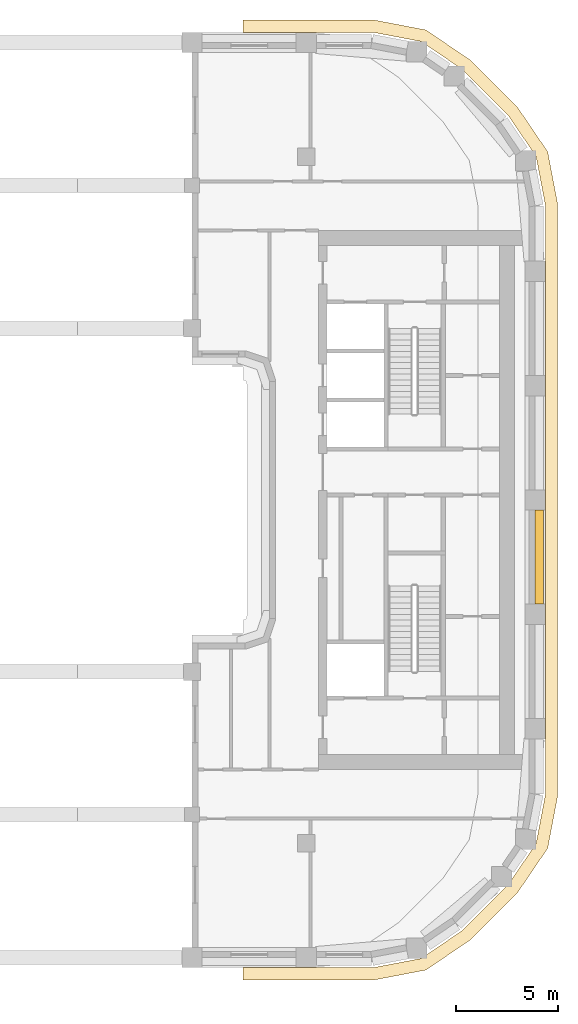
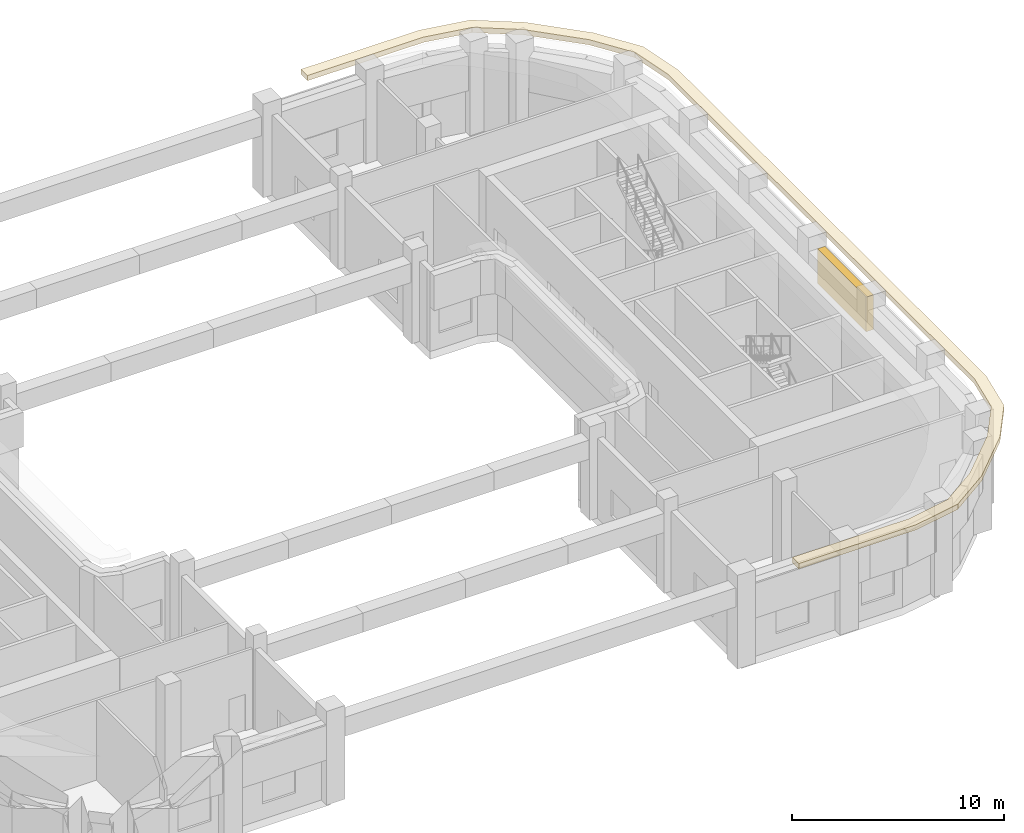
# One storey, part 12 of 14: 2 coverings.
"""IFC4 building model written with IfcOpenShell, lengths in metres."""

import ifcopenshell
import ifcopenshell.guid

model = None  # the IFC model being written
_history = None  # IfcOwnerHistory: only IFC2X3 demands one
_inside = {}  # id of a spatial element -> (the spatial element, [elements in it])
_under = {}  # id of a project, library or spatial element -> (it, [spatial elements below it])
_declared = {}  # id of a project -> (the project, [libraries it declares])
_typed = {}  # id of a type object -> (the type object, [elements of that type])
_made_of = {}  # id of a material, layer set ... -> (it, [elements and type objects made of it])


def new_model(schema):
    """Start an empty IFC model of exactly this schema.

    Asked for "IFC4X3", IfcOpenShell would pick the latest addendum, in which some entities
    have other attributes; the version numbers below select the first issue.
    IFC2X3 requires an IfcOwnerHistory on every rooted entity: one is made here for all.
    """
    global model, _history
    if schema == "IFC4X3":
        model = ifcopenshell.file(schema_version=(4, 3, 0, 0))
    else:
        model = ifcopenshell.file(schema=schema)
    _inside.clear()
    _under.clear()
    _declared.clear()
    _typed.clear()
    _made_of.clear()
    _history = None
    if model.schema == "IFC2X3":
        org = make("IfcOrganization", Name="unknown")
        user = make(
            "IfcPersonAndOrganization",
            ThePerson=make("IfcPerson", FamilyName="unknown"),
            TheOrganization=org,
        )
        app = make(
            "IfcApplication",
            ApplicationDeveloper=org,
            Version="unknown",
            ApplicationFullName="unknown",
            ApplicationIdentifier="unknown",
        )
        _history = make(
            "IfcOwnerHistory",
            OwningUser=user,
            OwningApplication=app,
            ChangeAction="ADDED",
            CreationDate=0,
        )
    return model


def make(cls, **values):
    """One entity of the class cls with the attributes given. An attribute that is None is left unset."""
    return model.create_entity(
        cls, **{name: value for name, value in values.items() if value is not None}
    )


def rooted(cls, **values):
    """An entity with a GlobalId (a new one), such as an element, a storey or a relation."""
    return make(cls, GlobalId=ifcopenshell.guid.new(), OwnerHistory=_history, **values)


def si_unit(unit_type, name, prefix=None):
    """IfcSIUnit, for example si_unit("LENGTHUNIT", "METRE", prefix="MILLI")."""
    return make("IfcSIUnit", UnitType=unit_type, Prefix=prefix, Name=name)


def assignment(units):
    """IfcUnitAssignment: the units of a project."""
    return None if units is None else make("IfcUnitAssignment", Units=units)


def point(xyz):
    """IfcCartesianPoint."""
    return None if xyz is None else make("IfcCartesianPoint", Coordinates=xyz)


def direction(xyz):
    """IfcDirection."""
    return None if xyz is None else make("IfcDirection", DirectionRatios=xyz)


def frame(location, z_axis=None, x_axis=None):
    """IfcAxis2Placement3D, a coordinate frame: its origin and axes. An axis left out is left unset."""
    return make(
        "IfcAxis2Placement3D",
        Location=point(location),
        Axis=direction(z_axis),
        RefDirection=direction(x_axis),
    )


def frame_2d(location, x_axis=None):
    """IfcAxis2Placement2D, a coordinate frame in the plane: its origin and x axis."""
    return make(
        "IfcAxis2Placement2D", Location=point(location), RefDirection=direction(x_axis)
    )


def origin():
    """The frame at (0, 0, 0) with its axes left unset."""
    return frame((0.0, 0.0, 0.0))


def origin_2d():
    """The frame at (0, 0) in the plane with its x axis left unset."""
    return frame_2d((0.0, 0.0))


def place(relative_to, where):
    """IfcLocalPlacement: puts the frame where relative to a parent placement (None: the world)."""
    return make(
        "IfcLocalPlacement", PlacementRelTo=relative_to, RelativePlacement=where
    )


def context(
    kind, dimensions, precision=None, world=None, true_north=None, identifier=None
):
    """IfcGeometricRepresentationContext, for example the 3D "Model" context."""
    return make(
        "IfcGeometricRepresentationContext",
        ContextIdentifier=identifier,
        ContextType=kind,
        CoordinateSpaceDimension=dimensions,
        Precision=precision,
        WorldCoordinateSystem=world,
        TrueNorth=true_north,
    )


def subcontext(parent, identifier, kind, view, scale=None):
    """IfcGeometricRepresentationSubContext, for example "Body" below "Model"."""
    return make(
        "IfcGeometricRepresentationSubContext",
        ContextIdentifier=identifier,
        ContextType=kind,
        ParentContext=parent,
        TargetScale=scale,
        TargetView=view,
    )


def project(units=None, contexts=None):
    """IfcProject with its units and contexts."""
    return rooted(
        "IfcProject",
        Name="project",
        RepresentationContexts=contexts,
        UnitsInContext=assignment(units),
    )


def spatial(cls, under=None, at=None, **own):
    """A site, building, storey or space (cls), placed at a placement, below another one or the project."""
    s = rooted(cls, ObjectPlacement=at, **own)
    if under is not None:
        _under.setdefault(under.id(), (under, []))[1].append(s)
    return s


def polyline(points):
    """IfcPolyline through the points."""
    return make("IfcPolyline", Points=[point(p) for p in points])


def profile(cls, at=None, kind="AREA", **sizes):
    """A parametric profile (cls). Its sizes go by their IFC names, for example OverallWidth=200.0."""
    return make(cls, ProfileType=kind, Position=at, **sizes)


def rectangle(**sizes):
    """IfcRectangleProfileDef."""
    return profile("IfcRectangleProfileDef", **sizes)


def outline(outer, holes=None, kind="AREA"):
    """IfcArbitraryClosedProfileDef: a profile drawn as a closed curve; with holes, ...WithVoids."""
    if holes is None:
        return make("IfcArbitraryClosedProfileDef", ProfileType=kind, OuterCurve=outer)
    return make(
        "IfcArbitraryProfileDefWithVoids",
        ProfileType=kind,
        OuterCurve=outer,
        InnerCurves=holes,
    )


def extrude(swept, where, along, depth):
    """IfcExtrudedAreaSolid: the profile swept, set in the frame where, extruded along a direction by depth."""
    return make(
        "IfcExtrudedAreaSolid",
        SweptArea=swept,
        Position=where,
        ExtrudedDirection=direction(along),
        Depth=depth,
    )


def shape(context_of_items, identifier, shape_type, items):
    """IfcShapeRepresentation: the items that make up one representation, for example the "Body"."""
    return make(
        "IfcShapeRepresentation",
        ContextOfItems=context_of_items,
        RepresentationIdentifier=identifier,
        RepresentationType=shape_type,
        Items=items,
    )


def material(Name=None, Category=None):
    """IfcMaterial."""
    return make("IfcMaterial", Name=Name, Category=Category)


def layer(
    of_material, thickness, ventilated=None, Name=None, Category=None, Priority=None
):
    """IfcMaterialLayer: one layer of a wall or slab, of a material (None: an air gap)."""
    return make(
        "IfcMaterialLayer",
        Material=of_material,
        LayerThickness=thickness,
        IsVentilated=ventilated,
        Name=Name,
        Category=Category,
        Priority=Priority,
    )


def layer_set(layers, Name=None):
    """IfcMaterialLayerSet."""
    return make("IfcMaterialLayerSet", MaterialLayers=layers, LayerSetName=Name)


def made_of(thing, what):
    """Note that an element or type object is made of a material, layer set ...; save() writes the relation."""
    if what is not None:
        _made_of.setdefault(what.id(), (what, []))[1].append(thing)
    return thing


def type_object(cls, material=None, **own):
    """A type object (cls), such as IfcWallType, which elements share."""
    return made_of(rooted(cls, **own), material)


def element(
    cls,
    number,
    at=None,
    inside=None,
    cuts=None,
    type_object=None,
    material=None,
    context=None,
    identifier="Body",
    shape_type=None,
    held_by="IfcProductDefinitionShape",
    body=None,
    shapes=None,
    **own,
):
    """One element of the class cls, such as IfcWall. Its Tag is "e" and its number.

    at: its placement. inside: the storey or other place that contains it. cuts: it is an
    opening in that element (IfcRelVoidsElement). A single representation is given by context,
    identifier, shape_type and body (its items); several are given by shapes. held_by: the class
    of the entity that holds the representations. save() writes the other relations.
    """
    e = rooted(cls, Tag="e%d" % number, ObjectPlacement=at, **own)
    if body is not None:
        shapes = [shape(context, identifier, shape_type, body)]
    if shapes is not None:
        e.Representation = make(held_by, Representations=shapes)
    if inside is not None:
        _inside.setdefault(inside.id(), (inside, []))[1].append(e)
    if cuts is not None:
        rooted(
            "IfcRelVoidsElement", RelatingBuildingElement=cuts, RelatedOpeningElement=e
        )
    if type_object is not None:
        _typed.setdefault(type_object.id(), (type_object, []))[1].append(e)
    return made_of(e, material)


def aggregate(whole, parts):
    """IfcRelAggregates: a whole, such as a stair, and the parts it consists of."""
    return rooted("IfcRelAggregates", RelatingObject=whole, RelatedObjects=parts)


def save(model, path):
    """Write the relations noted so far, then the file.

    IfcRelAggregates (storeys below a building ...), IfcRelContainedInSpatialStructure (elements
    in a storey), IfcRelDefinesByType, IfcRelAssociatesMaterial and IfcRelDeclares: one each for
    every whole, place, type object, material and project.
    """
    for whole, parts in _under.values():
        aggregate(whole, parts)
    for where, things in _inside.values():
        rooted(
            "IfcRelContainedInSpatialStructure",
            RelatedElements=things,
            RelatingStructure=where,
        )
    for kind, things in _typed.values():
        rooted("IfcRelDefinesByType", RelatedObjects=things, RelatingType=kind)
    for what, things in _made_of.values():
        rooted("IfcRelAssociatesMaterial", RelatedObjects=things, RelatingMaterial=what)
    for by, libraries in _declared.values():
        rooted("IfcRelDeclares", RelatingContext=by, RelatedDefinitions=libraries)
    model.write(path)


model = new_model("IFC4")

# Units and contexts
model_context = context("Model", 3, precision=1e-05, world=origin(), true_north=direction((0.0, 1.0)))
body_context = subcontext(model_context, "Body", "Model", "MODEL_VIEW")
ifc_project = project(units=[si_unit("LENGTHUNIT", "METRE"), si_unit("AREAUNIT", "SQUARE_METRE"), si_unit("VOLUMEUNIT", "CUBIC_METRE"), si_unit("PLANEANGLEUNIT", "RADIAN"), si_unit("MASSUNIT", "GRAM", prefix="KILO")], contexts=[model_context])

# Site, building, storey
site_placement = place(None, origin())
site = spatial("IfcSite", under=ifc_project, at=site_placement, CompositionType="ELEMENT")
building_placement = place(site_placement, origin())
building = spatial("IfcBuilding", under=site, at=building_placement, Name="Kiln Ring Residences", CompositionType="ELEMENT")
storey_placement = place(building_placement, frame((0.0, 0.0, 183.5)))
storey = spatial("IfcBuildingStorey", under=building, at=storey_placement, Name="L47", CompositionType="ELEMENT", Elevation=183.5)

# Coverings
ifc_material_1 = material(Name="Black powder-coated steel", Category="steel")
ifc_layer = layer(ifc_material_1, 0.300048828125)
ifc_layer_set = layer_set([ifc_layer], Name="SUNSHADE FIN 600")
covering_type_1 = type_object("IfcCoveringType", Name="SUNSHADE FIN 600", PredefinedType="CLADDING", material=ifc_layer_set)
covering_1_placement = place(storey_placement, frame((0.0, 0.0, 5.10009765625)))
element("IfcCovering", 1, at=covering_1_placement, inside=storey, type_object=covering_type_1, Name="SUNSHADE FIN L47", PredefinedType="CLADDING", context=body_context, shape_type="SweptSolid", body=[
    extrude(outline(polyline([(20.10400390625, 23.5), (13.699951171875, 23.5), (13.699951171875, 22.89990234375), (20.04736328125, 22.89990234375), (22.419677734375, 22.447509765625), (24.417236328125, 21.08984375), (26.68994140625, 18.817138671875), (28.047607421875, 16.819580078125), (28.5, 14.447265625), (28.5, -14.447265625), (28.047607421875, -16.819580078125), (26.68994140625, -18.817138671875), (24.417236328125, -21.08984375), (22.419677734375, -22.447509765625), (20.04736328125, -22.89990234375), (13.699951171875, -22.89990234375), (13.699951171875, -23.5), (20.10400390625, -23.5), (22.654052734375, -23.013671875), (24.801513671875, -21.55419921875), (27.154296875, -19.201416015625), (28.613525390625, -17.05419921875), (29.10009765625, -14.50390625), (29.10009765625, 14.50390625), (28.613525390625, 17.05419921875), (27.154296875, 19.201416015625), (24.801513671875, 21.55419921875), (22.654052734375, 23.013671875), (20.10400390625, 23.5)])), origin(), (0.0, 0.0, 1.0), 0.2998046875),
])
ifc_material_2 = material(Name="Concrete C35/45, exposed aggregate finish", Category="concrete")
covering_type_2 = type_object("IfcCoveringType", Name="TIE BAND 2000 x 400", PredefinedType="CLADDING", material=ifc_material_2)
covering_2_placement = place(storey_placement, frame((28.199951171875, -2.800048828125, 2.60009765625), z_axis=(0.0, 0.0, 1.0), x_axis=(0.0, 1.0, 0.0)))
element("IfcCovering", 2, at=covering_2_placement, inside=storey, type_object=covering_type_2, Name="TIE BAND L47", PredefinedType="CLADDING", context=body_context, shape_type="SweptSolid", body=[
    extrude(rectangle(XDim=4.60009765625, YDim=0.39990234375, at=origin_2d()), origin(), (0.0, 0.0, 1.0), 2.0),
])

save(model, "model.ifc")
